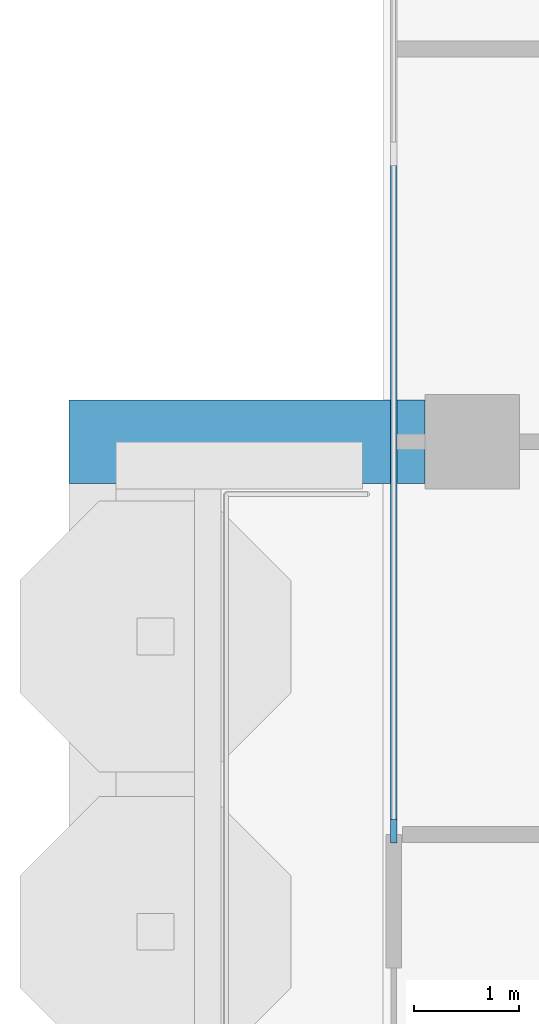
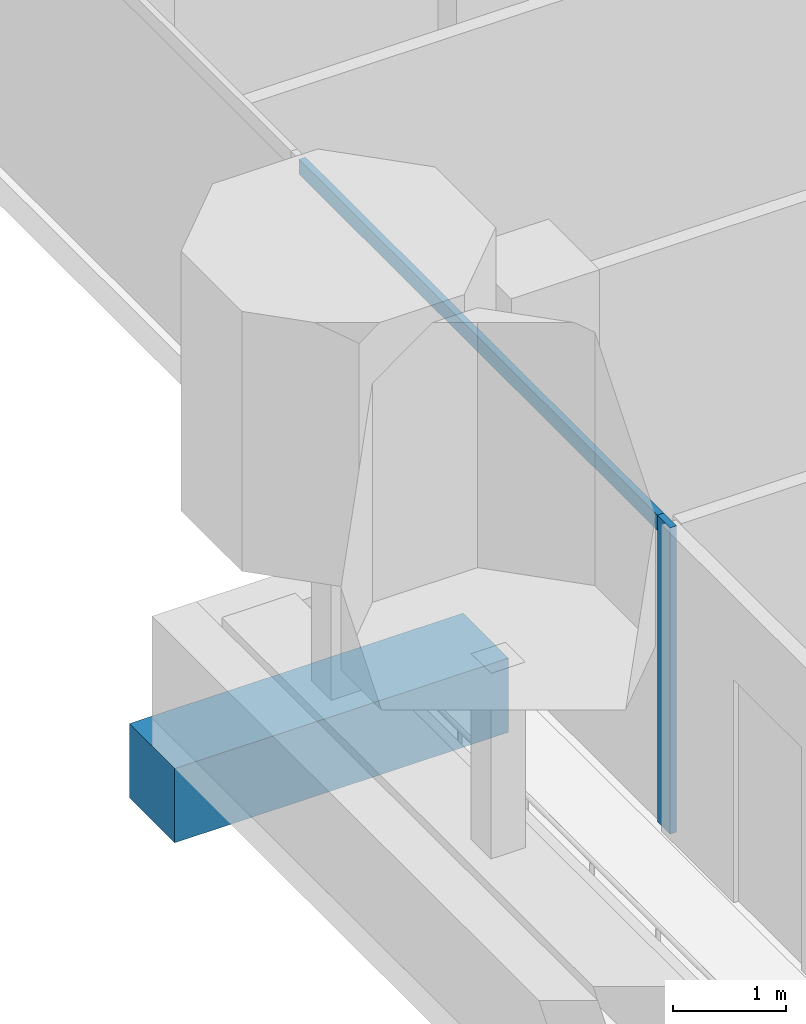
# One storey, part 3 of 19: 2 members, 1 beam, 1 element without a shape of its own.
"""IFC4 building model written with IfcOpenShell, lengths in metres."""

from ifc_helpers import new_model, si_unit, direction, frame, origin, origin_2d, place, context, subcontext, project, spatial, rectangle, extrude, material, material_profile, profile_set, type_object, element, aggregate, save


model = new_model("IFC4")

# Units and contexts
model_context = context("Model", 3, precision=1e-05, world=origin(), true_north=direction((0.0, 1.0)))
body_context = subcontext(model_context, "Body", "Model", "MODEL_VIEW")
ifc_project = project(units=[si_unit("LENGTHUNIT", "METRE"), si_unit("AREAUNIT", "SQUARE_METRE"), si_unit("VOLUMEUNIT", "CUBIC_METRE"), si_unit("PLANEANGLEUNIT", "RADIAN"), si_unit("MASSUNIT", "GRAM", prefix="KILO")], contexts=[model_context])

# Site, building, storey
site_placement = place(None, origin())
site = spatial("IfcSite", under=ifc_project, at=site_placement, CompositionType="ELEMENT")
building_placement = place(site_placement, origin())
building = spatial("IfcBuilding", under=site, at=building_placement, Name="Pilkhan Gate Tower", CompositionType="ELEMENT")
storey_placement = place(building_placement, frame((0.0, 0.0, 246.300048828125)))
storey = spatial("IfcBuildingStorey", under=building, at=storey_placement, Name="L64", CompositionType="ELEMENT", Elevation=246.300048828125)

# Beam
ifc_material_1 = material(Name="Concrete C50/60", Category="concrete")
ifc_material_profile_1 = material_profile(ifc_material_1, rectangle(XDim=0.800048828125, YDim=0.800048828125, at=origin_2d()), Name="RC 800x800")
ifc_profile_set_1 = profile_set([ifc_material_profile_1], Name="Concrete C50/60")
beam_type = type_object("IfcBeamType", Name="Cantilever beam CB2 RC 800x800 C50/60", PredefinedType="BEAM", material=ifc_profile_set_1)
beam_placement = place(storey_placement, frame((48.300048828125, 67.5, -0.699951171875), z_axis=(-1.0, 0.0, 0.0), x_axis=(0.0, -1.0, 0.0)))
element("IfcBeam", 1, at=beam_placement, inside=storey, type_object=beam_type, Name="Balcony beam W.3 L64", PredefinedType="BEAM", context=body_context, shape_type="SweptSolid", body=[
    extrude(rectangle(XDim=0.800048828125, YDim=0.800048828125, at=origin_2d()), origin(), (0.0, 0.0, 1.0), 3.400146484375),
])

# Curtain wall, members
ifc_material_2 = material(Name="Pale anodised aluminium, clear low-iron double glazing", Category="aluminium")
curtain_wall_type = type_object("IfcCurtainWallType", Name="Office unitised curtain wall CW-O2", PredefinedType="USERDEFINED", material=ifc_material_2)
curtain_wall_placement = place(storey_placement, origin())
curtain_wall = element("IfcCurtainWall", 2, at=curtain_wall_placement, inside=storey, type_object=curtain_wall_type, Name="Office unitised curtain wall CW-O2 L64 W", ObjectType="UNITISED CURTAIN WALL", PredefinedType="USERDEFINED")
ifc_material_3 = material(Name="Pale anodised aluminium", Category="aluminium")
ifc_material_profile_2 = material_profile(ifc_material_3, rectangle(XDim=0.06494140625, YDim=0.22509765625, at=origin_2d()), Name="Mullion 225x65")
ifc_profile_set_2 = profile_set([ifc_material_profile_2], Name="Pale anodised aluminium")
member_type_1 = type_object("IfcMemberType", Name="Mullion CW-O2 225x65", PredefinedType="MULLION", material=ifc_profile_set_2)
member_1_placement = place(storey_placement, frame((48.0, 63.782470703125, 0.0), z_axis=(0.0, 0.0, 1.0), x_axis=(-1.0, 0.0, 0.0)))
member_1 = element("IfcMember", 3, at=member_1_placement, type_object=member_type_1, Name="CW-O2 mullion 1", PredefinedType="MULLION", context=body_context, shape_type="SweptSolid", body=[
    extrude(rectangle(XDim=0.06494140625, YDim=0.22509765625, at=origin_2d()), origin(), (0.0, 0.0, 1.0), 3.300048828125),
])
ifc_material_profile_3 = material_profile(ifc_material_3, rectangle(XDim=0.06494140625, YDim=0.1650390625, at=origin_2d()), Name="Transom 165x65")
ifc_profile_set_3 = profile_set([ifc_material_profile_3], Name="Pale anodised aluminium")
member_type_2 = type_object("IfcMemberType", Name="Transom CW-O2 165x65", PredefinedType="USERDEFINED", material=ifc_profile_set_3)
member_2_placement = place(storey_placement, frame((48.0, 63.81494140625, 3.217529296875), z_axis=(0.0, 1.0, 0.0), x_axis=(-1.0, 0.0, 0.0)))
member_2 = element("IfcMember", 4, at=member_2_placement, type_object=member_type_2, Name="CW-O2 transom 1", ObjectType="TRANSOM", PredefinedType="USERDEFINED", context=body_context, shape_type="SweptSolid", body=[
    extrude(rectangle(XDim=0.06494140625, YDim=0.1650390625, at=origin_2d()), origin(), (0.0, 0.0, 1.0), 6.402587890625),
])
aggregate(curtain_wall, [member_1, member_2])

save(model, "model.ifc")
